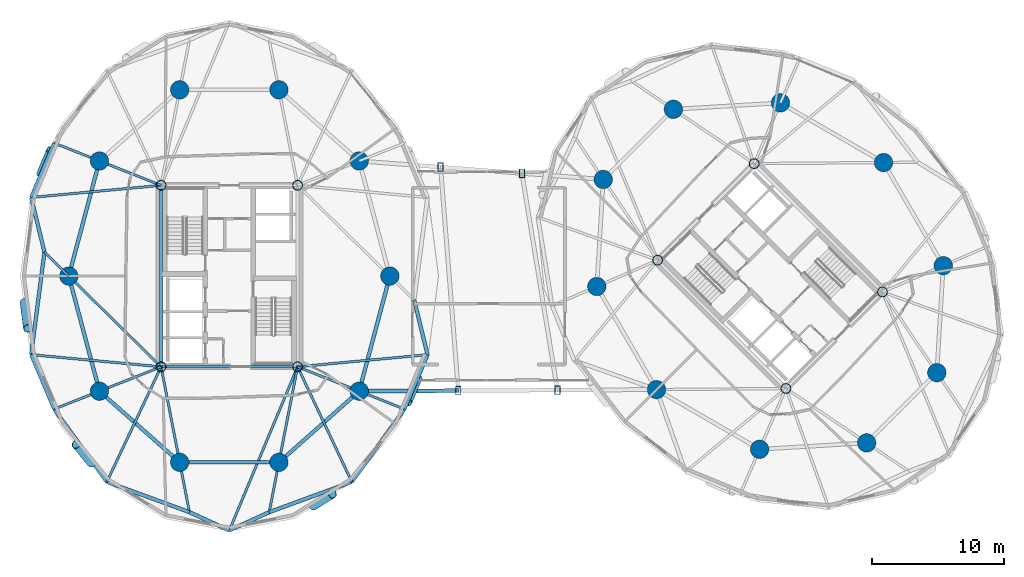
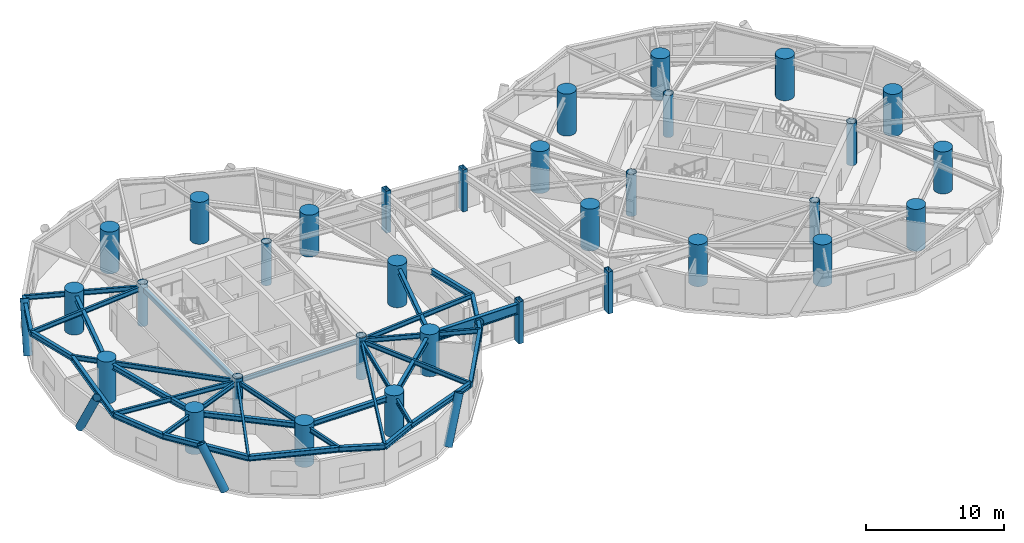
# One storey, part 1 of 19: 34 beams, 32 columns, 5 members.
"""IFC4 building model written with IfcOpenShell, lengths in metres."""

from ifc_helpers import new_model, si_unit, direction, frame, origin, origin_2d, place, context, subcontext, project, spatial, hollow_rectangle, circle, hollow_circle, i_section, extrude, material, material_profile, profile_set, type_object, element, save


model = new_model("IFC4")

# Units and contexts
model_context = context("Model", 3, precision=1e-05, world=origin(), true_north=direction((0.0, 1.0)))
body_context = subcontext(model_context, "Body", "Model", "MODEL_VIEW")
ifc_project = project(units=[si_unit("LENGTHUNIT", "METRE"), si_unit("AREAUNIT", "SQUARE_METRE"), si_unit("VOLUMEUNIT", "CUBIC_METRE"), si_unit("PLANEANGLEUNIT", "RADIAN"), si_unit("MASSUNIT", "GRAM", prefix="KILO")], contexts=[model_context])

# Site, building, storey
site_placement = place(None, origin())
site = spatial("IfcSite", under=ifc_project, at=site_placement, CompositionType="ELEMENT")
building_placement = place(site_placement, origin())
building = spatial("IfcBuilding", under=site, at=building_placement, Name="Cununo Teusaquillo Station Towers", CompositionType="ELEMENT")
storey_placement = place(building_placement, frame((0.0, 0.0, 132.8798828125)))
storey = spatial("IfcBuildingStorey", under=building, at=storey_placement, Name="L42", CompositionType="ELEMENT", Elevation=132.8798828125)

# Columns
ifc_material_1 = material(Name="Steel ASTM A572 Grade 50", Category="steel")
ifc_material_profile_1 = material_profile(ifc_material_1, hollow_rectangle(XDim=0.39990234375, YDim=0.64990234375, WallThickness=0.02490234375, at=origin_2d()), Name="RHS 650x400x25")
ifc_profile_set_1 = profile_set([ifc_material_profile_1], Name="Steel ASTM A572 Grade 50")
column_type_1 = type_object("IfcColumnType", Name="COL-BRG-POST", PredefinedType="COLUMN", material=ifc_profile_set_1)
for number, where, z_axis, x_axis, name in (
    (1, (33.862548828125, 15.81201171875, 0.0), (0.0, 0.0, 1.0), (1.0, 0.0, 0.0), "L42 Mid-Bridge Vierendeel Post S1"),
    (2, (41.377685546875, 15.8525390625, 0.0), (0.0, 0.0, 1.0), (1.0, 0.0, 0.0), "L42 Mid-Bridge Vierendeel Post S2"),
    (3, (32.51611328125, 32.761474609375, 0.0), (0.0, 0.0, 1.0), (1.0, 0.0, 0.0), "L42 Mid-Bridge Vierendeel Post N1"),
    (4, (38.684814453125, 32.294189453125, 0.0), (0.0, 0.0, 1.0), (1.0, 0.0, 0.0), "L42 Mid-Bridge Vierendeel Post N2"),
):
    element("IfcColumn", number, at=place(storey_placement, frame(where, z_axis=z_axis, x_axis=x_axis)), inside=storey, type_object=column_type_1, Name=name, PredefinedType="COLUMN", context=body_context, shape_type="SweptSolid", body=[
        extrude(hollow_rectangle(XDim=0.39990234375, YDim=0.64990234375, WallThickness=0.02490234375, at=origin_2d()), origin(), (0.0, 0.0, 1.0), 3.72021484375),
    ])
ifc_material_2 = material(Name="Steel EN 10025-2 S355J2", Category="steel")
ifc_material_profile_2 = material_profile(ifc_material_2, hollow_circle(Radius=0.3798828125, WallThickness=0.031982421875, at=origin_2d()), Name="CHS 760x32")
ifc_profile_set_2 = profile_set([ifc_material_profile_2], Name="Steel EN 10025-2 S355J2")
column_type_2 = type_object("IfcColumnType", Name="COL-CORE-Z2", PredefinedType="COLUMN", material=ifc_profile_set_2)
for number, where, z_axis, x_axis, name in (
    (5, (11.324951171875, 17.6201171875, 0.0), (0.0, 0.0, 1.0), (1.0, 0.0, 0.0), "L42 Tower A Core Column 1"),
    (6, (11.324951171875, 31.3798828125, 0.0), (0.0, 0.0, 1.0), (1.0, 0.0, 0.0), "L42 Tower A Core Column 2"),
    (7, (21.675048828125, 17.6201171875, 0.0), (0.0, 0.0, 1.0), (1.0, 0.0, 0.0), "L42 Tower A Core Column 3"),
    (8, (21.675048828125, 31.3798828125, 0.0), (0.0, 0.0, 1.0), (1.0, 0.0, 0.0), "L42 Tower A Core Column 4"),
    (9, (58.70556640625, 15.975830078125, 0.0), (0.0, 0.0, 1.0), (0.707106781187, 0.707106781187, 0.0), "L42 Tower B Core Column 1"),
    (10, (48.975830078125, 25.70556640625, 0.0), (0.0, 0.0, 1.0), (0.707106781187, 0.707106781187, 0.0), "L42 Tower B Core Column 2"),
    (11, (66.024169921875, 23.29443359375, 0.0), (0.0, 0.0, 1.0), (0.707106781187, 0.707106781187, 0.0), "L42 Tower B Core Column 3"),
    (12, (56.29443359375, 33.024169921875, 0.0), (0.0, 0.0, 1.0), (0.707106781187, 0.707106781187, 0.0), "L42 Tower B Core Column 4"),
):
    element("IfcColumn", number, at=place(storey_placement, frame(where, z_axis=z_axis, x_axis=x_axis)), inside=storey, type_object=column_type_2, Name=name, PredefinedType="COLUMN", context=body_context, shape_type="SweptSolid", body=[
        extrude(hollow_circle(Radius=0.3798828125, WallThickness=0.031982421875, at=origin_2d()), origin(), (0.0, 0.0, 1.0), 3.72021484375),
    ])
ifc_material_3 = material(Name="Concrete C60/75", Category="concrete")
ifc_material_profile_3 = material_profile(ifc_material_3, circle(Radius=0.699951171875, at=origin_2d()), Name="RC-CIRC-1400")
ifc_profile_set_3 = profile_set([ifc_material_profile_3], Name="Concrete C60/75")
column_type_3 = type_object("IfcColumnType", Name="COL-MEGA-Z2", PredefinedType="USERDEFINED", material=ifc_profile_set_3)
for number, where, z_axis, x_axis, name in (
    (13, (28.672119140625, 24.5, 0.0), (0.0, 0.0, 1.0), (1.0, 0.0, 0.0), "L42 Tower A Perimeter Column V00"),
    (14, (26.347412109375, 33.228515625, 0.0), (0.0, 0.0, 1.0), (1.0, 0.0, 0.0), "L42 Tower A Perimeter Column V02"),
    (15, (20.261474609375, 38.623291015625, 0.0), (0.0, 0.0, 1.0), (1.0, 0.0, 0.0), "L42 Tower A Perimeter Column V04"),
    (16, (12.738525390625, 38.623291015625, 0.0), (0.0, 0.0, 1.0), (1.0, 0.0, 0.0), "L42 Tower A Perimeter Column V06"),
    (17, (6.652587890625, 33.228515625, 0.0), (0.0, 0.0, 1.0), (1.0, 0.0, 0.0), "L42 Tower A Perimeter Column V08"),
    (18, (4.327880859375, 24.5, 0.0), (0.0, 0.0, 1.0), (1.0, 0.0, 0.0), "L42 Tower A Perimeter Column V10"),
    (19, (6.652587890625, 15.771484375, 0.0), (0.0, 0.0, 1.0), (1.0, 0.0, 0.0), "L42 Tower A Perimeter Column V12"),
    (20, (12.738525390625, 10.376708984375, 0.0), (0.0, 0.0, 1.0), (1.0, 0.0, 0.0), "L42 Tower A Perimeter Column V14"),
    (21, (20.261474609375, 10.376708984375, 0.0), (0.0, 0.0, 1.0), (1.0, 0.0, 0.0), "L42 Tower A Perimeter Column V16"),
    (22, (26.347412109375, 15.771484375, 0.0), (0.0, 0.0, 1.0), (1.0, 0.0, 0.0), "L42 Tower A Perimeter Column V18"),
    (23, (66.10693359375, 33.10693359375, 0.0), (0.0, 0.0, 1.0), (1.0, 0.0, 0.0), "L42 Tower B Perimeter Column V00"),
    (24, (58.291015625, 37.63525390625, 0.0), (0.0, 0.0, 1.0), (1.0, 0.0, 0.0), "L42 Tower B Perimeter Column V02"),
    (25, (50.173095703125, 37.146240234375, 0.0), (0.0, 0.0, 1.0), (1.0, 0.0, 0.0), "L42 Tower B Perimeter Column V04"),
    (26, (44.853759765625, 31.826904296875, 0.0), (0.0, 0.0, 1.0), (1.0, 0.0, 0.0), "L42 Tower B Perimeter Column V06"),
    (27, (44.36474609375, 23.708984375, 0.0), (0.0, 0.0, 1.0), (1.0, 0.0, 0.0), "L42 Tower B Perimeter Column V08"),
    (28, (48.89306640625, 15.89306640625, 0.0), (0.0, 0.0, 1.0), (1.0, 0.0, 0.0), "L42 Tower B Perimeter Column V10"),
    (29, (56.708984375, 11.36474609375, 0.0), (0.0, 0.0, 1.0), (1.0, 0.0, 0.0), "L42 Tower B Perimeter Column V12"),
    (30, (64.826904296875, 11.853759765625, 0.0), (0.0, 0.0, 1.0), (1.0, 0.0, 0.0), "L42 Tower B Perimeter Column V14"),
    (31, (70.146240234375, 17.173095703125, 0.0), (0.0, 0.0, 1.0), (1.0, 0.0, 0.0), "L42 Tower B Perimeter Column V16"),
    (32, (70.63525390625, 25.291015625, 0.0), (0.0, 0.0, 1.0), (1.0, 0.0, 0.0), "L42 Tower B Perimeter Column V18"),
):
    element("IfcColumn", number, at=place(storey_placement, frame(where, z_axis=z_axis, x_axis=x_axis)), inside=storey, type_object=column_type_3, Name=name, ObjectType="MEGA COLUMN", PredefinedType="USERDEFINED", context=body_context, shape_type="SweptSolid", body=[
        extrude(circle(Radius=0.699951171875, at=origin_2d()), origin(), (0.0, 0.0, 1.0), 3.72021484375),
    ])

# Beams
ifc_material_4 = material(Name="Steel EN 10025-2 S355J2", Category="steel")
ifc_material_profile_4 = material_profile(ifc_material_4, i_section(OverallWidth=0.300048828125, OverallDepth=0.89990234375, WebThickness=0.0185546875, FlangeThickness=0.034912109375, FilletRadius=0.027099609375, at=origin_2d()), Name="HEB 900")
ifc_profile_set_4 = profile_set([ifc_material_profile_4], Name="Steel EN 10025-2 S355J2")
beam_type_1 = type_object("IfcBeamType", Name="BM-BRG-CH2", PredefinedType="BEAM", material=ifc_profile_set_4)
beam_1_placement = place(storey_placement, frame((26.347412109375, 15.771484375, 2.990234375), z_axis=(0.999985459376, 0.00539268359, 0.0), x_axis=(-0.00539268359, 0.999985459376, 0.0)))
element("IfcBeam", 33, at=beam_1_placement, inside=storey, type_object=beam_type_1, Name="L42 Mid-Bridge Chord S1", PredefinedType="BEAM", context=body_context, shape_type="SweptSolid", body=[
    extrude(i_section(OverallWidth=0.300048828125, OverallDepth=0.89990234375, WebThickness=0.0185546875, FlangeThickness=0.034912109375, FilletRadius=0.027099609375, at=origin_2d()), origin(), (0.0, 0.0, 1.0), 7.51513671875),
])
ifc_material_5 = material(Name="Steel EN 10025-2 S355J2", Category="steel")
ifc_material_profile_5 = material_profile(ifc_material_5, hollow_rectangle(XDim=0.25, YDim=0.449951171875, WallThickness=0.01611328125, at=origin_2d()), Name="RHS 450x250x16")
ifc_profile_set_5 = profile_set([ifc_material_profile_5], Name="Steel EN 10025-2 S355J2")
beam_type_2 = type_object("IfcBeamType", Name="BM-COUP-1", PredefinedType="USERDEFINED", material=ifc_profile_set_5)
beam_2_placement = place(storey_placement, frame((11.324951171875, 17.6201171875, 3.215087890625), z_axis=(0.0, 1.0, 0.0), x_axis=(-1.0, 0.0, 0.0)))
element("IfcBeam", 34, at=beam_2_placement, inside=storey, type_object=beam_type_2, Name="L42 Tower A Core Beam 1", ObjectType="COUPLING BEAM", PredefinedType="USERDEFINED", context=body_context, shape_type="SweptSolid", body=[
    extrude(hollow_rectangle(XDim=0.25, YDim=0.449951171875, WallThickness=0.01611328125, at=origin_2d()), origin(), (0.0, 0.0, 1.0), 13.759765625),
])
ifc_material_6 = material(Name="Steel ASTM A572 Grade 50", Category="steel")
ifc_material_profile_6 = material_profile(ifc_material_6, i_section(OverallWidth=0.180908203125, OverallDepth=0.4169921875, WebThickness=0.010986328125, FlangeThickness=0.018310546875, FilletRadius=0.012939453125, at=origin_2d()), Name="W16X57")
ifc_profile_set_6 = profile_set([ifc_material_profile_6], Name="Steel ASTM A572 Grade 50")
beam_type_3 = type_object("IfcBeamType", Name="BM-JOIST-1", PredefinedType="JOIST", material=ifc_profile_set_6)
for number, where, z_axis, x_axis, name in (
    (35, (11.324951171875, 31.3798828125, 3.231689453125), (-0.995678537907, -0.09286683558, 0.0), (0.09286683558, -0.995678537907, 0.0), "L42 Tower A Radial Spandrel Joist V09"),
    (36, (11.324951171875, 17.6201171875, 3.231689453125), (-0.995678537907, 0.09286683558, 0.0), (-0.09286683558, -0.995678537907, 0.0), "L42 Tower A Radial Spandrel Joist V11"),
):
    element("IfcBeam", number, at=place(storey_placement, frame(where, z_axis=z_axis, x_axis=x_axis)), inside=storey, type_object=beam_type_3, Name=name, PredefinedType="JOIST", context=body_context, shape_type="SweptSolid", body=[
        extrude(i_section(OverallWidth=0.180908203125, OverallDepth=0.4169921875, WebThickness=0.010986328125, FlangeThickness=0.018310546875, FilletRadius=0.012939453125, at=origin_2d()), origin(), (0.0, 0.0, 1.0), 9.895263671875),
    ])
beam_3_placement = place(storey_placement, frame((11.324951171875, 17.6201171875, 3.231689453125), z_axis=(-0.426319838016, -0.904572493344, 0.0), x_axis=(0.904572493344, -0.426319838016, 0.0)))
element("IfcBeam", 37, at=beam_3_placement, inside=storey, type_object=beam_type_3, Name="L42 Tower A Radial Spandrel Joist V13", PredefinedType="JOIST", context=body_context, shape_type="SweptSolid", body=[
    extrude(i_section(OverallWidth=0.180908203125, OverallDepth=0.4169921875, WebThickness=0.010986328125, FlangeThickness=0.018310546875, FilletRadius=0.012939453125, at=origin_2d()), origin(), (0.0, 0.0, 1.0), 9.646728515625),
])
beam_4_placement = place(storey_placement, frame((21.675048828125, 17.6201171875, 3.231689453125), z_axis=(-0.38487837995, -0.922967297713, 0.0), x_axis=(0.922967297713, -0.38487837995, 0.0)))
element("IfcBeam", 38, at=beam_4_placement, inside=storey, type_object=beam_type_3, Name="L42 Tower A Radial Spandrel Joist V15", PredefinedType="JOIST", context=body_context, shape_type="SweptSolid", body=[
    extrude(i_section(OverallWidth=0.180908203125, OverallDepth=0.4169921875, WebThickness=0.010986328125, FlangeThickness=0.018310546875, FilletRadius=0.012939453125, at=origin_2d()), origin(), (0.0, 0.0, 1.0), 13.446044921875),
])
beam_5_placement = place(storey_placement, frame((21.675048828125, 17.6201171875, 3.231689453125), z_axis=(0.426319838016, -0.904572493344, 0.0), x_axis=(0.904572493344, 0.426319838016, 0.0)))
element("IfcBeam", 39, at=beam_5_placement, inside=storey, type_object=beam_type_3, Name="L42 Tower A Radial Spandrel Joist V17", PredefinedType="JOIST", context=body_context, shape_type="SweptSolid", body=[
    extrude(i_section(OverallWidth=0.180908203125, OverallDepth=0.4169921875, WebThickness=0.010986328125, FlangeThickness=0.018310546875, FilletRadius=0.012939453125, at=origin_2d()), origin(), (0.0, 0.0, 1.0), 9.646728515625),
])
beam_6_placement = place(storey_placement, frame((21.675048828125, 17.6201171875, 3.231689453125), z_axis=(0.995678537907, 0.09286683558, 0.0), x_axis=(-0.09286683558, 0.995678537907, 0.0)))
element("IfcBeam", 40, at=beam_6_placement, inside=storey, type_object=beam_type_3, Name="L42 Tower A Radial Spandrel Joist V19", PredefinedType="JOIST", context=body_context, shape_type="SweptSolid", body=[
    extrude(i_section(OverallWidth=0.180908203125, OverallDepth=0.4169921875, WebThickness=0.010986328125, FlangeThickness=0.018310546875, FilletRadius=0.012939453125, at=origin_2d()), origin(), (0.0, 0.0, 1.0), 9.895263671875),
])
ifc_material_7 = material(Name="Steel ASTM A572 Grade 50", Category="steel")
ifc_material_profile_7 = material_profile(ifc_material_7, i_section(OverallWidth=0.2041015625, OverallDepth=0.35009765625, WebThickness=0.008544921875, FlangeThickness=0.01513671875, FilletRadius=0.011962890625, at=origin_2d()), Name="W14X48")
ifc_profile_set_7 = profile_set([ifc_material_profile_7], Name="Steel ASTM A572 Grade 50")
beam_type_4 = type_object("IfcBeamType", Name="BM-LINTEL-1", PredefinedType="LINTEL", material=ifc_profile_set_7)
beam_7_placement = place(storey_placement, frame((11.324951171875, 17.6201171875, 3.26513671875), z_axis=(1.0, 0.0, 0.0), x_axis=(0.0, 1.0, 0.0)))
element("IfcBeam", 41, at=beam_7_placement, inside=storey, type_object=beam_type_4, Name="L42 Tower A Core Beam 3", PredefinedType="LINTEL", context=body_context, shape_type="SweptSolid", body=[
    extrude(i_section(OverallWidth=0.2041015625, OverallDepth=0.35009765625, WebThickness=0.008544921875, FlangeThickness=0.01513671875, FilletRadius=0.011962890625, at=origin_2d()), origin(), (0.0, 0.0, 1.0), 10.35009765625),
])
ifc_material_8 = material(Name="Steel ASTM A572 Grade 50", Category="steel")
ifc_material_profile_8 = material_profile(ifc_material_8, i_section(OverallWidth=0.180908203125, OverallDepth=0.4169921875, WebThickness=0.010986328125, FlangeThickness=0.018310546875, FilletRadius=0.012939453125, at=origin_2d()), Name="W16X57")
ifc_profile_set_8 = profile_set([ifc_material_profile_8], Name="Steel ASTM A572 Grade 50")
beam_type_5 = type_object("IfcBeamType", Name="BM-RAD-G2", PredefinedType="BEAM", material=ifc_profile_set_8)
beam_8_placement = place(storey_placement, frame((11.324951171875, 31.3798828125, 3.231689453125), z_axis=(-0.929863123823, 0.367905654963, 0.0), x_axis=(-0.367905654963, -0.929863123823, 0.0)))
element("IfcBeam", 42, at=beam_8_placement, inside=storey, type_object=beam_type_5, Name="L42 Tower A Continuous Overhanging Radial Girder 05", PredefinedType="BEAM", context=body_context, shape_type="SweptSolid", body=[
    extrude(i_section(OverallWidth=0.180908203125, OverallDepth=0.4169921875, WebThickness=0.010986328125, FlangeThickness=0.018310546875, FilletRadius=0.012939453125, at=origin_2d()), origin(), (0.0, 0.0, 1.0), 8.715087890625),
])
beam_9_placement = place(storey_placement, frame((11.324951171875, 17.6201171875, 3.231689453125), z_axis=(-0.713052701438, 0.701110437073, 0.0), x_axis=(-0.701110437073, -0.713052701438, 0.0)))
element("IfcBeam", 43, at=beam_9_placement, inside=storey, type_object=beam_type_5, Name="L42 Tower A Radial Girder 06A", PredefinedType="BEAM", context=body_context, shape_type="SweptSolid", body=[
    extrude(i_section(OverallWidth=0.180908203125, OverallDepth=0.4169921875, WebThickness=0.010986328125, FlangeThickness=0.018310546875, FilletRadius=0.012939453125, at=origin_2d()), origin(), (0.0, 0.0, 1.0), 9.812744140625),
])
beam_10_placement = place(storey_placement, frame((4.327880859375, 24.5, 3.231689453125), z_axis=(-0.7130260383, 0.701137553342, 0.0), x_axis=(-0.701137553342, -0.7130260383, 0.0)))
element("IfcBeam", 44, at=beam_10_placement, inside=storey, type_object=beam_type_5, Name="L42 Tower A Perimeter Overhang Girder 06B", PredefinedType="BEAM", context=body_context, shape_type="SweptSolid", body=[
    extrude(i_section(OverallWidth=0.180908203125, OverallDepth=0.4169921875, WebThickness=0.010986328125, FlangeThickness=0.018310546875, FilletRadius=0.012939453125, at=origin_2d()), origin(), (0.0, 0.0, 1.0), 2.58740234375),
])
beam_11_placement = place(storey_placement, frame((11.324951171875, 17.6201171875, 3.231689453125), z_axis=(-0.929863123823, -0.367905654963, 0.0), x_axis=(0.367905654963, -0.929863123823, 0.0)))
element("IfcBeam", 45, at=beam_11_placement, inside=storey, type_object=beam_type_5, Name="L42 Tower A Continuous Overhanging Radial Girder 07", PredefinedType="BEAM", context=body_context, shape_type="SweptSolid", body=[
    extrude(i_section(OverallWidth=0.180908203125, OverallDepth=0.4169921875, WebThickness=0.010986328125, FlangeThickness=0.018310546875, FilletRadius=0.012939453125, at=origin_2d()), origin(), (0.0, 0.0, 1.0), 8.715087890625),
])
for number, where, z_axis, x_axis, name in (
    (46, (11.324951171875, 17.6201171875, 3.231689453125), (0.191552755713, -0.981482318628, 0.0), (0.981482318628, 0.191552755713, 0.0), "L42 Tower A Continuous Overhanging Radial Girder 08"),
    (47, (21.675048828125, 17.6201171875, 3.231689453125), (-0.191552755713, -0.981482318628, 0.0), (0.981482318628, -0.191552755713, 0.0), "L42 Tower A Continuous Overhanging Radial Girder 09"),
):
    element("IfcBeam", number, at=place(storey_placement, frame(where, z_axis=z_axis, x_axis=x_axis)), inside=storey, type_object=beam_type_5, Name=name, PredefinedType="BEAM", context=body_context, shape_type="SweptSolid", body=[
        extrude(i_section(OverallWidth=0.180908203125, OverallDepth=0.4169921875, WebThickness=0.010986328125, FlangeThickness=0.018310546875, FilletRadius=0.012939453125, at=origin_2d()), origin(), (0.0, 0.0, 1.0), 11.22998046875),
    ])
beam_12_placement = place(storey_placement, frame((21.675048828125, 17.6201171875, 3.231689453125), z_axis=(0.929863123823, -0.367905654963, 0.0), x_axis=(0.367905654963, 0.929863123823, 0.0)))
element("IfcBeam", 48, at=beam_12_placement, inside=storey, type_object=beam_type_5, Name="L42 Tower A Continuous Overhanging Radial Girder 10", PredefinedType="BEAM", context=body_context, shape_type="SweptSolid", body=[
    extrude(i_section(OverallWidth=0.180908203125, OverallDepth=0.4169921875, WebThickness=0.010986328125, FlangeThickness=0.018310546875, FilletRadius=0.012939453125, at=origin_2d()), origin(), (0.0, 0.0, 1.0), 8.715087890625),
])
ifc_material_9 = material(Name="Steel ASTM A572 Grade 50", Category="steel")
ifc_material_profile_9 = material_profile(ifc_material_9, i_section(OverallWidth=0.280029296875, OverallDepth=0.462890625, WebThickness=0.0107421875, FlangeThickness=0.017333984375, FilletRadius=0.013916015625, at=origin_2d()), Name="W18X76")
ifc_profile_set_9 = profile_set([ifc_material_profile_9], Name="Steel ASTM A572 Grade 50")
beam_type_6 = type_object("IfcBeamType", Name="BM-RING-Z2", PredefinedType="SPANDREL", material=ifc_profile_set_9)
for number, where, z_axis, x_axis, name in (
    (49, (6.652587890625, 33.228515625, 3.20849609375), (-0.257363196347, -0.966314744359, 0.0), (0.966314744359, -0.257363196347, 0.0), "L42 Tower A Structural Column Ring Girder 05"),
    (50, (4.327880859375, 24.5, 3.20849609375), (0.257363196347, -0.966314744359, 0.0), (0.966314744359, 0.257363196347, 0.0), "L42 Tower A Structural Column Ring Girder 06"),
):
    element("IfcBeam", number, at=place(storey_placement, frame(where, z_axis=z_axis, x_axis=x_axis)), inside=storey, type_object=beam_type_6, Name=name, PredefinedType="SPANDREL", context=body_context, shape_type="SweptSolid", body=[
        extrude(i_section(OverallWidth=0.280029296875, OverallDepth=0.462890625, WebThickness=0.0107421875, FlangeThickness=0.017333984375, FilletRadius=0.013916015625, at=origin_2d()), origin(), (0.0, 0.0, 1.0), 9.03271484375),
    ])
beam_13_placement = place(storey_placement, frame((6.652587890625, 15.771484375, 3.20849609375), z_axis=(0.74832120039, -0.66333655187, 0.0), x_axis=(0.66333655187, 0.74832120039, 0.0)))
element("IfcBeam", 51, at=beam_13_placement, inside=storey, type_object=beam_type_6, Name="L42 Tower A Structural Column Ring Girder 07", PredefinedType="SPANDREL", context=body_context, shape_type="SweptSolid", body=[
    extrude(i_section(OverallWidth=0.280029296875, OverallDepth=0.462890625, WebThickness=0.0107421875, FlangeThickness=0.017333984375, FilletRadius=0.013916015625, at=origin_2d()), origin(), (0.0, 0.0, 1.0), 8.1328125),
])
beam_14_placement = place(storey_placement, frame((12.738525390625, 10.376708984375, 3.20849609375), z_axis=(1.0, 0.0, 0.0), x_axis=(0.0, 1.0, 0.0)))
element("IfcBeam", 52, at=beam_14_placement, inside=storey, type_object=beam_type_6, Name="L42 Tower A Structural Column Ring Girder 08", PredefinedType="SPANDREL", context=body_context, shape_type="SweptSolid", body=[
    extrude(i_section(OverallWidth=0.280029296875, OverallDepth=0.462890625, WebThickness=0.0107421875, FlangeThickness=0.017333984375, FilletRadius=0.013916015625, at=origin_2d()), origin(), (0.0, 0.0, 1.0), 7.52294921875),
])
beam_15_placement = place(storey_placement, frame((20.261474609375, 10.376708984375, 3.20849609375), z_axis=(0.74832120039, 0.66333655187, 0.0), x_axis=(-0.66333655187, 0.74832120039, 0.0)))
element("IfcBeam", 53, at=beam_15_placement, inside=storey, type_object=beam_type_6, Name="L42 Tower A Structural Column Ring Girder 09", PredefinedType="SPANDREL", context=body_context, shape_type="SweptSolid", body=[
    extrude(i_section(OverallWidth=0.280029296875, OverallDepth=0.462890625, WebThickness=0.0107421875, FlangeThickness=0.017333984375, FilletRadius=0.013916015625, at=origin_2d()), origin(), (0.0, 0.0, 1.0), 8.1328125),
])
beam_16_placement = place(storey_placement, frame((26.347412109375, 15.771484375, 3.20849609375), z_axis=(0.257363196347, 0.966314744359, 0.0), x_axis=(-0.966314744359, 0.257363196347, 0.0)))
element("IfcBeam", 54, at=beam_16_placement, inside=storey, type_object=beam_type_6, Name="L42 Tower A Structural Column Ring Girder 10", PredefinedType="SPANDREL", context=body_context, shape_type="SweptSolid", body=[
    extrude(i_section(OverallWidth=0.280029296875, OverallDepth=0.462890625, WebThickness=0.0107421875, FlangeThickness=0.017333984375, FilletRadius=0.013916015625, at=origin_2d()), origin(), (0.0, 0.0, 1.0), 9.03271484375),
])
beam_17_placement = place(storey_placement, frame((3.22119140625, 34.586181640625, 3.20849609375), z_axis=(-0.390299356049, -0.920688010494, 0.0), x_axis=(0.920688010494, -0.390299356049, 0.0)))
element("IfcBeam", 55, at=beam_17_placement, inside=storey, type_object=beam_type_6, Name="L42 Tower A Spandrel Ring Beam 09", PredefinedType="SPANDREL", context=body_context, shape_type="SweptSolid", body=[
    extrude(i_section(OverallWidth=0.280029296875, OverallDepth=0.462890625, WebThickness=0.0107421875, FlangeThickness=0.017333984375, FilletRadius=0.013916015625, at=origin_2d()), origin(), (0.0, 0.0, 1.0), 4.480712890625),
])
beam_18_placement = place(storey_placement, frame((1.472412109375, 30.4609375, 3.20849609375), z_axis=(0.236757334703, -0.971568816124, 0.0), x_axis=(0.971568816124, 0.236757334703, 0.0)))
element("IfcBeam", 56, at=beam_18_placement, inside=storey, type_object=beam_type_6, Name="L42 Tower A Spandrel Ring Beam 10", PredefinedType="SPANDREL", context=body_context, shape_type="SweptSolid", body=[
    extrude(i_section(OverallWidth=0.280029296875, OverallDepth=0.462890625, WebThickness=0.0107421875, FlangeThickness=0.017333984375, FilletRadius=0.013916015625, at=origin_2d()), origin(), (0.0, 0.0, 1.0), 4.26806640625),
])
beam_19_placement = place(storey_placement, frame((2.48291015625, 26.314208984375, 3.20849609375), z_axis=(-0.12888124113, -0.991660035337, 0.0), x_axis=(0.991660035337, -0.12888124113, 0.0)))
element("IfcBeam", 57, at=beam_19_placement, inside=storey, type_object=beam_type_6, Name="L42 Tower A Spandrel Ring Beam 11", PredefinedType="SPANDREL", context=body_context, shape_type="SweptSolid", body=[
    extrude(i_section(OverallWidth=0.280029296875, OverallDepth=0.462890625, WebThickness=0.0107421875, FlangeThickness=0.017333984375, FilletRadius=0.013916015625, at=origin_2d()), origin(), (0.0, 0.0, 1.0), 7.840576171875),
])
beam_20_placement = place(storey_placement, frame((1.472412109375, 18.5390625, 3.20849609375), z_axis=(0.390299356049, -0.920688010494, 0.0), x_axis=(0.920688010494, 0.390299356049, 0.0)))
element("IfcBeam", 58, at=beam_20_placement, inside=storey, type_object=beam_type_6, Name="L42 Tower A Spandrel Ring Beam 12", PredefinedType="SPANDREL", context=body_context, shape_type="SweptSolid", body=[
    extrude(i_section(OverallWidth=0.280029296875, OverallDepth=0.462890625, WebThickness=0.0107421875, FlangeThickness=0.017333984375, FilletRadius=0.013916015625, at=origin_2d()), origin(), (0.0, 0.0, 1.0), 4.480712890625),
])
beam_21_placement = place(storey_placement, frame((3.22119140625, 14.413818359375, 3.20849609375), z_axis=(0.58594455724, -0.810351143543, 0.0), x_axis=(0.810351143543, 0.58594455724, 0.0)))
element("IfcBeam", 59, at=beam_21_placement, inside=storey, type_object=beam_type_6, Name="L42 Tower A Spandrel Ring Beam 13", PredefinedType="SPANDREL", context=body_context, shape_type="SweptSolid", body=[
    extrude(i_section(OverallWidth=0.280029296875, OverallDepth=0.462890625, WebThickness=0.0107421875, FlangeThickness=0.017333984375, FilletRadius=0.013916015625, at=origin_2d()), origin(), (0.0, 0.0, 1.0), 6.8115234375),
])
beam_22_placement = place(storey_placement, frame((7.21240234375, 8.89404296875, 3.20849609375), z_axis=(0.938914161016, -0.34415141761, 0.0), x_axis=(0.34415141761, 0.938914161016, 0.0)))
element("IfcBeam", 60, at=beam_22_placement, inside=storey, type_object=beam_type_6, Name="L42 Tower A Spandrel Ring Beam 14", PredefinedType="SPANDREL", context=body_context, shape_type="SweptSolid", body=[
    extrude(i_section(OverallWidth=0.280029296875, OverallDepth=0.462890625, WebThickness=0.0107421875, FlangeThickness=0.017333984375, FilletRadius=0.013916015625, at=origin_2d()), origin(), (0.0, 0.0, 1.0), 6.671142578125),
])
for number, where, z_axis, x_axis, name in (
    (61, (13.47607421875, 6.59814453125, 3.20849609375), (0.908812215281, -0.417205413862, 0.0), (0.417205413862, 0.908812215281, 0.0), "L42 Tower A Spandrel Ring Beam 15"),
    (62, (16.5, 5.2099609375, 3.20849609375), (0.908812215281, 0.417205413862, 0.0), (-0.417205413862, 0.908812215281, 0.0), "L42 Tower A Spandrel Ring Beam 16"),
):
    element("IfcBeam", number, at=place(storey_placement, frame(where, z_axis=z_axis, x_axis=x_axis)), inside=storey, type_object=beam_type_6, Name=name, PredefinedType="SPANDREL", context=body_context, shape_type="SweptSolid", body=[
        extrude(i_section(OverallWidth=0.280029296875, OverallDepth=0.462890625, WebThickness=0.0107421875, FlangeThickness=0.017333984375, FilletRadius=0.013916015625, at=origin_2d()), origin(), (0.0, 0.0, 1.0), 3.327392578125),
    ])
beam_23_placement = place(storey_placement, frame((19.52392578125, 6.59814453125, 3.20849609375), z_axis=(0.938914161016, 0.34415141761, 0.0), x_axis=(-0.34415141761, 0.938914161016, 0.0)))
element("IfcBeam", 63, at=beam_23_placement, inside=storey, type_object=beam_type_6, Name="L42 Tower A Spandrel Ring Beam 17", PredefinedType="SPANDREL", context=body_context, shape_type="SweptSolid", body=[
    extrude(i_section(OverallWidth=0.280029296875, OverallDepth=0.462890625, WebThickness=0.0107421875, FlangeThickness=0.017333984375, FilletRadius=0.013916015625, at=origin_2d()), origin(), (0.0, 0.0, 1.0), 6.671142578125),
])
beam_24_placement = place(storey_placement, frame((25.78759765625, 8.89404296875, 3.20849609375), z_axis=(0.58594455724, 0.810351143543, 0.0), x_axis=(-0.810351143543, 0.58594455724, 0.0)))
element("IfcBeam", 64, at=beam_24_placement, inside=storey, type_object=beam_type_6, Name="L42 Tower A Spandrel Ring Beam 18", PredefinedType="SPANDREL", context=body_context, shape_type="SweptSolid", body=[
    extrude(i_section(OverallWidth=0.280029296875, OverallDepth=0.462890625, WebThickness=0.0107421875, FlangeThickness=0.017333984375, FilletRadius=0.013916015625, at=origin_2d()), origin(), (0.0, 0.0, 1.0), 6.8115234375),
])
beam_25_placement = place(storey_placement, frame((29.77880859375, 14.413818359375, 3.20849609375), z_axis=(0.390299356049, 0.920688010494, 0.0), x_axis=(-0.920688010494, 0.390299356049, 0.0)))
element("IfcBeam", 65, at=beam_25_placement, inside=storey, type_object=beam_type_6, Name="L42 Tower A Spandrel Ring Beam 19", PredefinedType="SPANDREL", context=body_context, shape_type="SweptSolid", body=[
    extrude(i_section(OverallWidth=0.280029296875, OverallDepth=0.462890625, WebThickness=0.0107421875, FlangeThickness=0.017333984375, FilletRadius=0.013916015625, at=origin_2d()), origin(), (0.0, 0.0, 1.0), 4.480712890625),
])
beam_26_placement = place(storey_placement, frame((31.527587890625, 18.5390625, 3.20849609375), z_axis=(-0.236757334703, 0.971568816124, 0.0), x_axis=(-0.971568816124, -0.236757334703, 0.0)))
element("IfcBeam", 66, at=beam_26_placement, inside=storey, type_object=beam_type_6, Name="L42 Tower A Spandrel Ring Beam 20", PredefinedType="SPANDREL", context=body_context, shape_type="SweptSolid", body=[
    extrude(i_section(OverallWidth=0.280029296875, OverallDepth=0.462890625, WebThickness=0.0107421875, FlangeThickness=0.017333984375, FilletRadius=0.013916015625, at=origin_2d()), origin(), (0.0, 0.0, 1.0), 4.26806640625),
])

# Members
ifc_material_10 = material(Name="Steel EN 10025-2 S355J2", Category="steel")
ifc_material_profile_10 = material_profile(ifc_material_10, hollow_circle(Radius=0.330078125, WallThickness=0.02490234375, at=origin_2d()), Name="CHS 660x25")
ifc_profile_set_10 = profile_set([ifc_material_profile_10], Name="Steel EN 10025-2 S355J2")
member_type = type_object("IfcMemberType", Name="MBR-DIAG-Z2", PredefinedType="BRACE", material=ifc_profile_set_10)
member_1_placement = place(storey_placement, frame((2.220458984375, 32.25341796875, -0.139892578125), z_axis=(0.17825428596, 0.427135433263, 0.886442739938), x_axis=(-0.922861086318, 0.385132983993, 0.0)))
element("IfcMember", 67, at=member_1_placement, inside=storey, type_object=member_type, Name="L42 Tower A Folded-Zigzag Diagrid Tube C08", PredefinedType="BRACE", context=body_context, shape_type="SweptSolid", body=[
    extrude(hollow_circle(Radius=0.330078125, WallThickness=0.02490234375, at=origin_2d()), origin(), (0.0, 0.0, 1.0), 4.196533203125),
])
member_2_placement = place(storey_placement, frame((0.956787109375, 22.512939453125, -0.139892578125), z_axis=(0.061018208367, -0.470233124708, 0.880430341751), x_axis=(0.991685812096, 0.128682749763, 0.0)))
element("IfcMember", 68, at=member_2_placement, inside=storey, type_object=member_type, Name="L42 Tower A Folded-Zigzag Diagrid Tube C10", PredefinedType="BRACE", context=body_context, shape_type="SweptSolid", body=[
    extrude(hollow_circle(Radius=0.330078125, WallThickness=0.02490234375, at=origin_2d()), origin(), (0.0, 0.0, 1.0), 4.22509765625),
])
member_3_placement = place(storey_placement, frame((6.047119140625, 10.316650390625, -0.139892578125), z_axis=(-0.280818166507, 0.342771137245, 0.896464781702), x_axis=(-0.773548952929, -0.633736552065, 0.0)))
element("IfcMember", 69, at=member_3_placement, inside=storey, type_object=member_type, Name="L42 Tower A Folded-Zigzag Diagrid Tube C12", PredefinedType="BRACE", context=body_context, shape_type="SweptSolid", body=[
    extrude(hollow_circle(Radius=0.330078125, WallThickness=0.02490234375, at=origin_2d()), origin(), (0.0, 0.0, 1.0), 4.149658203125),
])
member_4_placement = place(storey_placement, frame((22.85107421875, 7.0673828125, -0.139892578125), z_axis=(0.35791948, 0.222643294759, 0.906820604715), x_axis=(-0.528195574716, 0.849122744278, 0.0)))
element("IfcMember", 70, at=member_4_placement, inside=storey, type_object=member_type, Name="L42 Tower A Folded-Zigzag Diagrid Tube C16", PredefinedType="BRACE", context=body_context, shape_type="SweptSolid", body=[
    extrude(hollow_circle(Radius=0.330078125, WallThickness=0.02490234375, at=origin_2d()), origin(), (0.0, 0.0, 1.0), 4.102294921875),
])
member_5_placement = place(storey_placement, frame((30.779541015625, 16.74658203125, -0.139892578125), z_axis=(-0.17825428596, -0.427135433263, 0.886442739938), x_axis=(0.922861086318, -0.385132983993, 0.0)))
element("IfcMember", 71, at=member_5_placement, inside=storey, type_object=member_type, Name="L42 Tower A Folded-Zigzag Diagrid Tube C18", PredefinedType="BRACE", context=body_context, shape_type="SweptSolid", body=[
    extrude(hollow_circle(Radius=0.330078125, WallThickness=0.02490234375, at=origin_2d()), origin(), (0.0, 0.0, 1.0), 4.196533203125),
])

save(model, "model.ifc")
